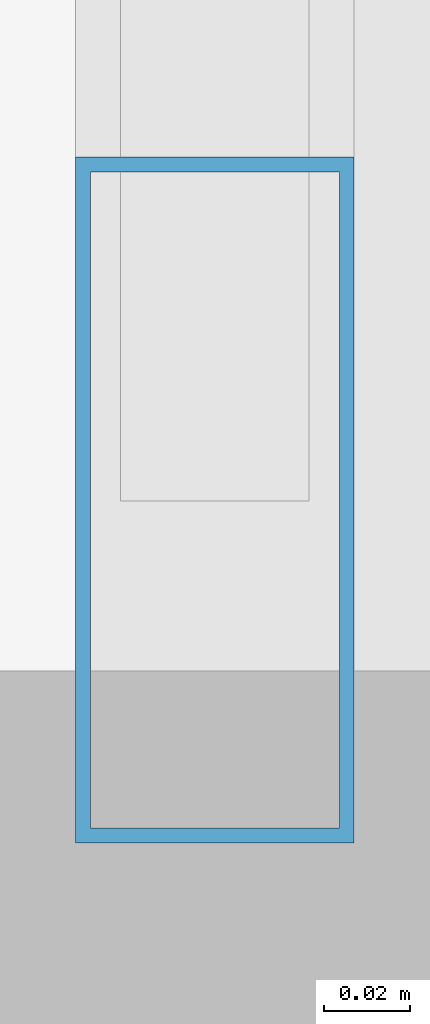
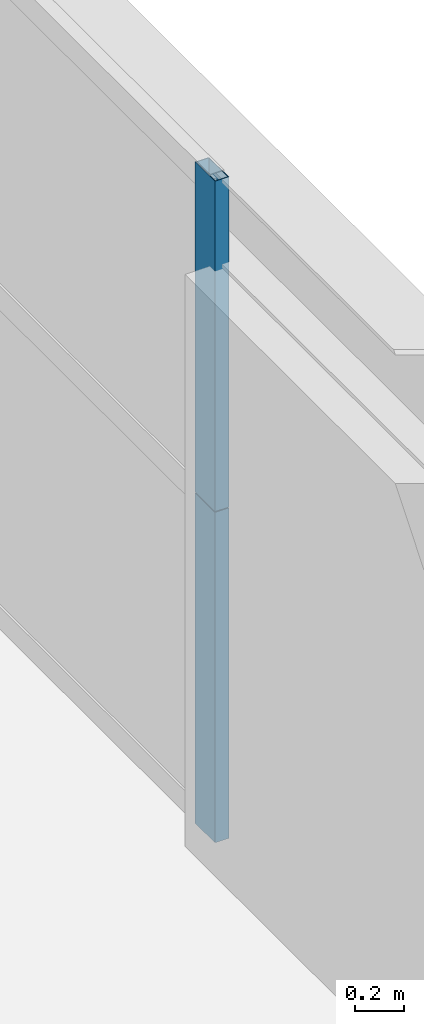
# One storey, part 15 of 34: 2 members, 1 element without a shape of its own.
"""IFC4 building model written with IfcOpenShell, lengths in metres."""

from ifc_helpers import new_model, si_unit, direction, frame, origin, origin_2d, place, context, subcontext, project, spatial, hollow_rectangle, extrude, source, transform, mapped, material, layer, layer_set, material_profile, profile_set, type_object, element, aggregate, save


model = new_model("IFC4")

# Units and contexts
model_context = context("Model", 3, precision=1e-05, world=origin(), true_north=direction((0.0, 1.0)))
body_context = subcontext(model_context, "Body", "Model", "MODEL_VIEW")
ifc_project = project(units=[si_unit("LENGTHUNIT", "METRE"), si_unit("AREAUNIT", "SQUARE_METRE"), si_unit("VOLUMEUNIT", "CUBIC_METRE"), si_unit("PLANEANGLEUNIT", "RADIAN"), si_unit("MASSUNIT", "GRAM", prefix="KILO"), si_unit("THERMODYNAMICTEMPERATUREUNIT", "KELVIN"), si_unit("POWERUNIT", "WATT")], contexts=[model_context])

# Site, building, storey
site_placement = place(None, origin())
site = spatial("IfcSite", under=ifc_project, at=site_placement, CompositionType="ELEMENT")
building_placement = place(site_placement, origin())
building = spatial("IfcBuilding", under=site, at=building_placement, Name="Yuzanri Waterfront Tower", CompositionType="ELEMENT")
storey_placement = place(building_placement, frame((0.0, 0.0, 241.60009765625)))
storey = spatial("IfcBuildingStorey", under=building, at=storey_placement, Name="L64", CompositionType="ELEMENT", Elevation=241.60009765625)

# Curtain wall, members
ifc_material_1 = material(Name="Anodized Architectural Bronze", Category="metal")
ifc_layer = layer(ifc_material_1, 0.159912109375)
ifc_layer_set = layer_set([ifc_layer], Name="Anodized Architectural Bronze")
curtain_wall_type = type_object("IfcCurtainWallType", Name="Anodized Bronze Mid-Rise Residential Acoustic Unitized Curtain Wall 7200", PredefinedType="NOTDEFINED", material=ifc_layer_set)
curtain_wall_placement = place(storey_placement, origin())
curtain_wall = element("IfcCurtainWall", 1, at=curtain_wall_placement, inside=storey, type_object=curtain_wall_type, Name="L64 Curtain Wall CW-L64-EL", PredefinedType="NOTDEFINED")
ifc_material_2 = material(Name="Anodized Architectural Bronze", Category="metal")
ifc_material_profile = material_profile(ifc_material_2, hollow_rectangle(XDim=0.06494140625, YDim=0.159912109375, WallThickness=0.00341796875, at=origin_2d()), Name="CWM 65x160")
ifc_profile_set = profile_set([ifc_material_profile], Name="Anodized Architectural Bronze")
member_type = type_object("IfcMemberType", Name="Anodized Bronze Upper-Zone Curtain-Wall Mullion 65x160", PredefinedType="MULLION", material=ifc_profile_set)
shared_shape = source(origin(), body_context, "Body", "SweptSolid", [
    extrude(hollow_rectangle(XDim=0.06494140625, YDim=0.159912109375, WallThickness=0.00341796875, at=origin_2d()), origin(), (0.0, 0.0, 1.0), 1.637939453125),
])
member_1_placement = place(storey_placement, frame((57.449951171875, 12.590087890625, 0.0), z_axis=(0.0, 0.0, 1.0), x_axis=(1.0, 0.0, 0.0)))
member_1 = element("IfcMember", 2, at=member_1_placement, type_object=member_type, Name="CW-L64-EL Lower Mullion 00", PredefinedType="MULLION", context=body_context, shape_type="MappedRepresentation", body=[
    mapped(shared_shape, transform((0.0, 0.0, 0.0), scale=1.0)),
])
member_2_placement = place(storey_placement, frame((57.449951171875, 12.590087890625, 1.641845703125), z_axis=(0.0, 0.0, 1.0), x_axis=(1.0, 0.0, 0.0)))
member_2 = element("IfcMember", 3, at=member_2_placement, type_object=member_type, Name="CW-L64-EL Upper Mullion 00", PredefinedType="MULLION", context=body_context, shape_type="MappedRepresentation", body=[
    mapped(shared_shape, transform((0.0, 0.0, 0.0), scale=1.0)),
])
aggregate(curtain_wall, [member_1, member_2])

save(model, "model.ifc")
